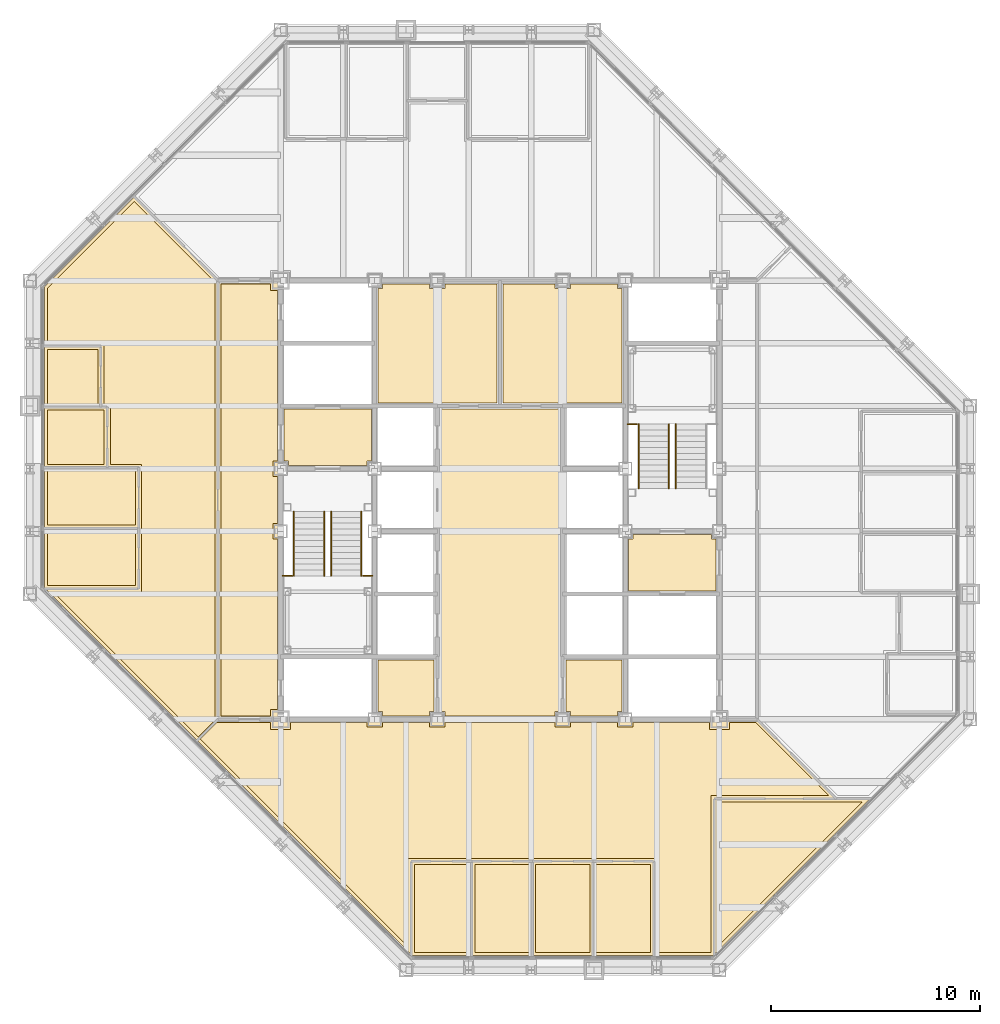
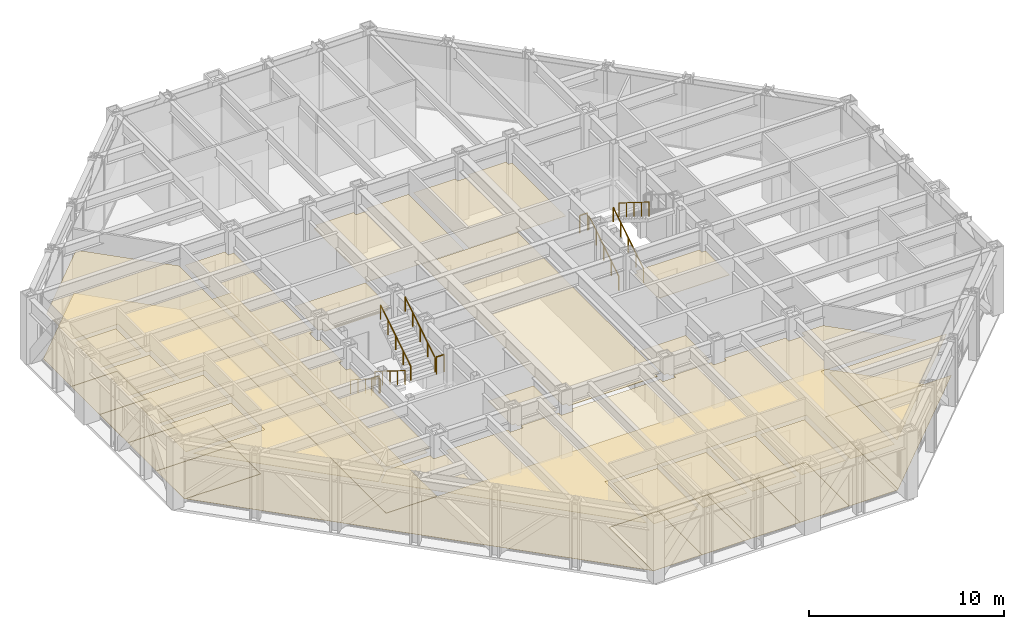
# One storey, part 14 of 15: 30 coverings, 10 railings.
"""IFC4 building model written with IfcOpenShell, lengths in metres."""

from ifc_helpers import new_model, si_unit, direction, frame, origin, origin_2d, place, context, subcontext, project, spatial, polyline, circle, outline, extrude, material, layer, layer_set, type_object, element, save


model = new_model("IFC4")

# Units and contexts
model_context = context("Model", 3, precision=1e-05, world=origin(), true_north=direction((0.0, 1.0)))
body_context = subcontext(model_context, "Body", "Model", "MODEL_VIEW")
ifc_project = project(units=[si_unit("LENGTHUNIT", "METRE"), si_unit("AREAUNIT", "SQUARE_METRE"), si_unit("VOLUMEUNIT", "CUBIC_METRE"), si_unit("PLANEANGLEUNIT", "RADIAN"), si_unit("MASSUNIT", "GRAM", prefix="KILO")], contexts=[model_context])

# Site, building, storey
site_placement = place(None, origin())
site = spatial("IfcSite", under=ifc_project, at=site_placement, CompositionType="ELEMENT")
building_placement = place(site_placement, origin())
building = spatial("IfcBuilding", under=site, at=building_placement, Name="Chuquiago Exchange Tower", CompositionType="ELEMENT")
storey_placement = place(building_placement, frame((0.0, 0.0, 192.89990234375)))
storey = spatial("IfcBuildingStorey", under=building, at=storey_placement, Name="L42", CompositionType="ELEMENT", Elevation=192.89990234375)

# Coverings
ifc_material_1 = material(Name="Mineral fibre tile, 600 x 600, on pale metal grid", Category="mineral fibre")
ifc_layer_1 = layer(ifc_material_1, 0.02001953125)
ifc_layer_set_1 = layer_set([ifc_layer_1], Name="CL1 suspended tile ceiling 20")
covering_type_1 = type_object("IfcCoveringType", Name="CL1 suspended tile ceiling 20", PredefinedType="CEILING", material=ifc_layer_set_1)
covering_1_placement = place(storey_placement, frame((0.0, 0.0, 2.800048828125)))
element("IfcCovering", 1, at=covering_1_placement, inside=storey, type_object=covering_type_1, Name="Ceiling Office", PredefinedType="CEILING", context=body_context, shape_type="SweptSolid", body=[
    extrude(outline(polyline([(18.3984375, 5.050048828125), (20.9990234375, 5.050048828125), (20.9990234375, 0.85009765625), (18.3984375, 0.85009765625), (18.3984375, 5.050048828125)])), origin(), (0.0, 0.0, 1.0), 0.02001953125),
])
covering_2_placement = place(storey_placement, frame((0.0, 0.0, 2.800048828125)))
element("IfcCovering", 2, at=covering_2_placement, inside=storey, type_object=covering_type_1, Name="Ceiling Office", PredefinedType="CEILING", context=body_context, shape_type="SweptSolid", body=[
    extrude(outline(polyline([(21.299072265625, 5.050048828125), (23.899658203125, 5.050048828125), (23.899658203125, 0.85009765625), (21.299072265625, 0.85009765625), (21.299072265625, 5.050048828125)])), origin(), (0.0, 0.0, 1.0), 0.02001953125),
])
covering_3_placement = place(storey_placement, frame((0.0, 0.0, 2.800048828125)))
element("IfcCovering", 3, at=covering_3_placement, inside=storey, type_object=covering_type_1, Name="Ceiling Office", PredefinedType="CEILING", context=body_context, shape_type="SweptSolid", body=[
    extrude(outline(polyline([(24.19970703125, 5.050048828125), (26.80029296875, 5.050048828125), (26.80029296875, 0.85009765625), (24.19970703125, 0.85009765625), (24.19970703125, 5.050048828125)])), origin(), (0.0, 0.0, 1.0), 0.02001953125),
])
covering_4_placement = place(storey_placement, frame((0.0, 0.0, 2.800048828125)))
element("IfcCovering", 4, at=covering_4_placement, inside=storey, type_object=covering_type_1, Name="Ceiling Office", PredefinedType="CEILING", context=body_context, shape_type="SweptSolid", body=[
    extrude(outline(polyline([(27.100341796875, 5.050048828125), (29.700927734375, 5.050048828125), (29.700927734375, 0.85009765625), (27.100341796875, 0.85009765625), (27.100341796875, 5.050048828125)])), origin(), (0.0, 0.0, 1.0), 0.02001953125),
])
covering_5_placement = place(storey_placement, frame((0.0, 0.0, 2.800048828125)))
element("IfcCovering", 5, at=covering_5_placement, inside=storey, type_object=covering_type_1, Name="Ceiling Boardroom", PredefinedType="CEILING", context=body_context, shape_type="SweptSolid", body=[
    extrude(outline(polyline([(32.901611328125, 8.050048828125), (39.847900390625, 8.050048828125), (32.901611328125, 1.103515625), (32.901611328125, 8.050048828125)])), origin(), (0.0, 0.0, 1.0), 0.02001953125),
])
covering_6_placement = place(storey_placement, frame((0.0, 0.0, 2.800048828125)))
element("IfcCovering", 6, at=covering_6_placement, inside=storey, type_object=covering_type_1, Name="Ceiling Office", PredefinedType="CEILING", context=body_context, shape_type="SweptSolid", body=[
    extrude(outline(polyline([(0.85009765625, 20.9990234375), (5.050048828125, 20.9990234375), (5.050048828125, 18.3984375), (0.85009765625, 18.3984375), (0.85009765625, 20.9990234375)])), origin(), (0.0, 0.0, 1.0), 0.02001953125),
])
covering_7_placement = place(storey_placement, frame((0.0, 0.0, 2.800048828125)))
element("IfcCovering", 7, at=covering_7_placement, inside=storey, type_object=covering_type_1, Name="Ceiling Office", PredefinedType="CEILING", context=body_context, shape_type="SweptSolid", body=[
    extrude(outline(polyline([(5.050048828125, 23.899658203125), (5.050048828125, 21.299072265625), (0.85009765625, 21.299072265625), (0.85009765625, 23.899658203125), (5.050048828125, 23.899658203125)])), origin(), (0.0, 0.0, 1.0), 0.02001953125),
])
covering_8_placement = place(storey_placement, frame((0.0, 0.0, 2.800048828125)))
element("IfcCovering", 8, at=covering_8_placement, inside=storey, type_object=covering_type_1, Name="Ceiling Store", PredefinedType="CEILING", context=body_context, shape_type="SweptSolid", body=[
    extrude(outline(polyline([(3.550048828125, 26.80029296875), (3.550048828125, 24.19970703125), (0.85009765625, 24.19970703125), (0.85009765625, 26.80029296875), (3.550048828125, 26.80029296875)])), origin(), (0.0, 0.0, 1.0), 0.02001953125),
])
covering_9_placement = place(storey_placement, frame((0.0, 0.0, 2.800048828125)))
element("IfcCovering", 9, at=covering_9_placement, inside=storey, type_object=covering_type_1, Name="Ceiling Focus room", PredefinedType="CEILING", context=body_context, shape_type="SweptSolid", body=[
    extrude(outline(polyline([(3.25, 29.700927734375), (3.25, 27.100341796875), (0.85009765625, 27.100341796875), (0.85009765625, 29.700927734375), (3.25, 29.700927734375)])), origin(), (0.0, 0.0, 1.0), 0.02001953125),
])
covering_10_placement = place(storey_placement, frame((0.0, 0.0, 2.800048828125)))
element("IfcCovering", 10, at=covering_10_placement, inside=storey, type_object=covering_type_1, Name="Ceiling Circulation corridor", PredefinedType="CEILING", context=body_context, shape_type="SweptSolid", body=[
    extrude(outline(polyline([(9.14990234375, 12.14990234375), (9.14990234375, 32.85009765625), (11.52490234375, 32.85009765625), (11.52490234375, 32.52490234375), (11.85009765625, 32.52490234375), (11.85009765625, 24.375), (11.625, 24.375), (11.625, 23.625), (11.85009765625, 23.625), (11.85009765625, 21.375), (11.625, 21.375), (11.625, 20.625), (11.85009765625, 20.625), (11.85009765625, 12.47509765625), (11.52490234375, 12.47509765625), (11.52490234375, 12.14990234375), (9.14990234375, 12.14990234375)])), origin(), (0.0, 0.0, 1.0), 0.02001953125),
])
covering_11_placement = place(storey_placement, frame((0.0, 0.0, 2.800048828125)))
element("IfcCovering", 11, at=covering_11_placement, inside=storey, type_object=covering_type_1, Name="Ceiling Open office south", PredefinedType="CEILING", context=body_context, shape_type="SweptSolid", body=[
    extrude(outline(polyline([(30.0009765625, 0.85009765625), (30.0009765625, 5.35009765625), (18.098388671875, 5.35009765625), (18.098388671875, 1.103515625), (8.150390625, 11.051513671875), (8.948974609375, 11.85009765625), (11.52490234375, 11.85009765625), (11.52490234375, 11.52490234375), (12.47509765625, 11.52490234375), (12.47509765625, 11.85009765625), (16.125, 11.85009765625), (16.125, 11.625), (16.875, 11.625), (16.875, 11.85009765625), (19.125, 11.85009765625), (19.125, 11.625), (19.875, 11.625), (19.875, 11.85009765625), (25.125, 11.85009765625), (25.125, 11.625), (25.875, 11.625), (25.875, 11.85009765625), (28.125, 11.85009765625), (28.125, 11.625), (28.875, 11.625), (28.875, 11.85009765625), (32.52490234375, 11.85009765625), (32.52490234375, 11.52490234375), (33.47509765625, 11.52490234375), (33.47509765625, 11.85009765625), (34.7373046875, 11.85009765625), (38.2373046875, 8.35009765625), (32.6015625, 8.35009765625), (32.6015625, 0.85009765625), (30.0009765625, 0.85009765625)])), origin(), (0.0, 0.0, 1.0), 0.02001953125),
])
covering_12_placement = place(storey_placement, frame((0.0, 0.0, 2.800048828125)))
element("IfcCovering", 12, at=covering_12_placement, inside=storey, type_object=covering_type_1, Name="Ceiling Open office south", PredefinedType="CEILING", context=body_context, shape_type="SweptSolid", body=[
    extrude(outline(polyline([(1.103515625, 18.098388671875), (5.35009765625, 18.098388671875), (5.35009765625, 24.19970703125), (3.85009765625, 24.19970703125), (3.85009765625, 27.100341796875), (3.550048828125, 27.100341796875), (3.550048828125, 30.0009765625), (0.85009765625, 30.0009765625), (0.85009765625, 32.64794921875), (4.99462890625, 36.79248046875), (8.85009765625, 32.9375), (8.85009765625, 11.948974609375), (8.051513671875, 11.150390625), (1.103515625, 18.098388671875)])), origin(), (0.0, 0.0, 1.0), 0.02001953125),
])
ifc_material_2 = material(Name="Moisture resistant plasterboard on metal frame", Category="gypsum")
ifc_layer_2 = layer(ifc_material_2, 0.014892578125)
ifc_layer_set_2 = layer_set([ifc_layer_2], Name="CL2 moisture resistant ceiling 15")
covering_type_2 = type_object("IfcCoveringType", Name="CL2 moisture resistant ceiling 15", PredefinedType="CEILING", material=ifc_layer_set_2)
covering_13_placement = place(storey_placement, frame((0.0, 0.0, 2.60009765625)))
element("IfcCovering", 13, at=covering_13_placement, inside=storey, type_object=covering_type_2, Name="Ceiling Male WC", PredefinedType="CEILING", context=body_context, shape_type="SweptSolid", body=[
    extrude(outline(polyline([(16.64990234375, 27.14990234375), (16.64990234375, 32.625), (16.875, 32.625), (16.875, 32.85009765625), (19.125, 32.85009765625), (19.125, 32.625), (19.875, 32.625), (19.875, 32.85009765625), (22.35009765625, 32.85009765625), (22.35009765625, 27.14990234375), (16.64990234375, 27.14990234375)])), origin(), (0.0, 0.0, 1.0), 0.014892578125),
])
covering_14_placement = place(storey_placement, frame((0.0, 0.0, 2.60009765625)))
element("IfcCovering", 14, at=covering_14_placement, inside=storey, type_object=covering_type_2, Name="Ceiling Female WC", PredefinedType="CEILING", context=body_context, shape_type="SweptSolid", body=[
    extrude(outline(polyline([(22.64990234375, 27.14990234375), (22.64990234375, 32.85009765625), (25.125, 32.85009765625), (25.125, 32.625), (25.875, 32.625), (25.875, 32.85009765625), (28.125, 32.85009765625), (28.125, 32.625), (28.35009765625, 32.625), (28.35009765625, 27.14990234375), (22.64990234375, 27.14990234375)])), origin(), (0.0, 0.0, 1.0), 0.014892578125),
])
covering_15_placement = place(storey_placement, frame((0.0, 0.0, 2.60009765625)))
element("IfcCovering", 15, at=covering_15_placement, inside=storey, type_object=covering_type_2, Name="Ceiling Accessible WC", PredefinedType="CEILING", context=body_context, shape_type="SweptSolid", body=[
    extrude(outline(polyline([(25.875, 12.14990234375), (25.875, 12.375), (25.64990234375, 12.375), (25.64990234375, 14.85009765625), (28.35009765625, 14.85009765625), (28.35009765625, 12.375), (28.125, 12.375), (28.125, 12.14990234375), (25.875, 12.14990234375)])), origin(), (0.0, 0.0, 1.0), 0.014892578125),
])
covering_16_placement = place(storey_placement, frame((0.0, 0.0, 2.60009765625)))
element("IfcCovering", 16, at=covering_16_placement, inside=storey, type_object=covering_type_2, Name="Ceiling Cleaner", PredefinedType="CEILING", context=body_context, shape_type="SweptSolid", body=[
    extrude(outline(polyline([(16.875, 12.14990234375), (16.875, 12.375), (16.64990234375, 12.375), (16.64990234375, 14.85009765625), (19.35009765625, 14.85009765625), (19.35009765625, 12.375), (19.125, 12.375), (19.125, 12.14990234375), (16.875, 12.14990234375)])), origin(), (0.0, 0.0, 1.0), 0.014892578125),
])
ifc_material_3 = material(Name="Pale metal plank ceiling, perforated", Category="aluminium")
ifc_layer_3 = layer(ifc_material_3, 0.030029296875)
ifc_layer_set_3 = layer_set([ifc_layer_3], Name="CL3 metal plank ceiling 30")
covering_type_3 = type_object("IfcCoveringType", Name="CL3 metal plank ceiling 30", PredefinedType="CEILING", material=ifc_layer_set_3)
covering_17_placement = place(storey_placement, frame((0.0, 0.0, 2.800048828125)))
element("IfcCovering", 17, at=covering_17_placement, inside=storey, type_object=covering_type_3, Name="Ceiling Lift lobby", PredefinedType="CEILING", context=body_context, shape_type="SweptSolid", body=[
    extrude(outline(polyline([(19.875, 12.14990234375), (19.875, 12.375), (19.64990234375, 12.375), (19.64990234375, 26.85009765625), (25.35009765625, 26.85009765625), (25.35009765625, 12.375), (25.125, 12.375), (25.125, 12.14990234375), (19.875, 12.14990234375)])), origin(), (0.0, 0.0, 1.0), 0.030029296875),
])
covering_18_placement = place(storey_placement, frame((0.0, 0.0, 2.800048828125)))
element("IfcCovering", 18, at=covering_18_placement, inside=storey, type_object=covering_type_3, Name="Ceiling Firefighting lobby", PredefinedType="CEILING", context=body_context, shape_type="SweptSolid", body=[
    extrude(outline(polyline([(12.375, 24.14990234375), (12.375, 24.375), (12.14990234375, 24.375), (12.14990234375, 26.85009765625), (16.35009765625, 26.85009765625), (16.35009765625, 24.375), (16.125, 24.375), (16.125, 24.14990234375), (12.375, 24.14990234375)])), origin(), (0.0, 0.0, 1.0), 0.030029296875),
])
covering_19_placement = place(storey_placement, frame((0.0, 0.0, 2.800048828125)))
element("IfcCovering", 19, at=covering_19_placement, inside=storey, type_object=covering_type_3, Name="Ceiling Firefighting lobby", PredefinedType="CEILING", context=body_context, shape_type="SweptSolid", body=[
    extrude(outline(polyline([(28.64990234375, 18.14990234375), (28.64990234375, 20.625), (28.875, 20.625), (28.875, 20.85009765625), (32.625, 20.85009765625), (32.625, 20.625), (32.85009765625, 20.625), (32.85009765625, 18.14990234375), (28.64990234375, 18.14990234375)])), origin(), (0.0, 0.0, 1.0), 0.030029296875),
])
ifc_material_4 = material(Name="Carpet tile, 500 x 500, on the floor slab", Category="textile")
ifc_layer_4 = layer(ifc_material_4, 0.010009765625)
ifc_layer_set_4 = layer_set([ifc_layer_4], Name="FL1 carpet tile 10")
covering_type_4 = type_object("IfcCoveringType", Name="FL1 carpet tile 10", PredefinedType="FLOORING", material=ifc_layer_set_4)
covering_20_placement = place(storey_placement, origin())
element("IfcCovering", 20, at=covering_20_placement, inside=storey, type_object=covering_type_4, Name="Floor finish Office", PredefinedType="FLOORING", context=body_context, shape_type="SweptSolid", body=[
    extrude(outline(polyline([(18.289794921875, 0.699951171875), (18.24853515625, 0.741455078125), (18.24853515625, 5.199951171875), (21.149169921875, 5.199951171875), (21.149169921875, 0.699951171875), (18.289794921875, 0.699951171875)])), origin(), (0.0, 0.0, 1.0), 0.010009765625),
])
covering_21_placement = place(storey_placement, origin())
element("IfcCovering", 21, at=covering_21_placement, inside=storey, type_object=covering_type_4, Name="Floor finish Office", PredefinedType="FLOORING", context=body_context, shape_type="SweptSolid", body=[
    extrude(outline(polyline([(21.149169921875, 0.699951171875), (21.149169921875, 5.199951171875), (24.0498046875, 5.199951171875), (24.0498046875, 0.699951171875), (21.149169921875, 0.699951171875)])), origin(), (0.0, 0.0, 1.0), 0.010009765625),
])
covering_22_placement = place(storey_placement, origin())
element("IfcCovering", 22, at=covering_22_placement, inside=storey, type_object=covering_type_4, Name="Floor finish Office", PredefinedType="FLOORING", context=body_context, shape_type="SweptSolid", body=[
    extrude(outline(polyline([(24.0498046875, 0.699951171875), (24.0498046875, 5.199951171875), (26.9501953125, 5.199951171875), (26.9501953125, 0.699951171875), (24.0498046875, 0.699951171875)])), origin(), (0.0, 0.0, 1.0), 0.010009765625),
])
covering_23_placement = place(storey_placement, origin())
element("IfcCovering", 23, at=covering_23_placement, inside=storey, type_object=covering_type_4, Name="Floor finish Office", PredefinedType="FLOORING", context=body_context, shape_type="SweptSolid", body=[
    extrude(outline(polyline([(26.9501953125, 0.699951171875), (26.9501953125, 5.199951171875), (29.850830078125, 5.199951171875), (29.850830078125, 0.699951171875), (26.9501953125, 0.699951171875)])), origin(), (0.0, 0.0, 1.0), 0.010009765625),
])
covering_24_placement = place(storey_placement, origin())
element("IfcCovering", 24, at=covering_24_placement, inside=storey, type_object=covering_type_4, Name="Floor finish Boardroom", PredefinedType="FLOORING", context=body_context, shape_type="SweptSolid", body=[
    extrude(outline(polyline([(32.75146484375, 0.741455078125), (32.75146484375, 8.199951171875), (40.210205078125, 8.199951171875), (32.75146484375, 0.741455078125)])), origin(), (0.0, 0.0, 1.0), 0.010009765625),
])
covering_25_placement = place(storey_placement, origin())
element("IfcCovering", 25, at=covering_25_placement, inside=storey, type_object=covering_type_4, Name="Floor finish Office", PredefinedType="FLOORING", context=body_context, shape_type="SweptSolid", body=[
    extrude(outline(polyline([(0.699951171875, 21.149169921875), (5.199951171875, 21.149169921875), (5.199951171875, 18.24853515625), (0.741455078125, 18.24853515625), (0.699951171875, 18.289794921875), (0.699951171875, 21.149169921875)])), origin(), (0.0, 0.0, 1.0), 0.010009765625),
])
covering_26_placement = place(storey_placement, origin())
element("IfcCovering", 26, at=covering_26_placement, inside=storey, type_object=covering_type_4, Name="Floor finish Office", PredefinedType="FLOORING", context=body_context, shape_type="SweptSolid", body=[
    extrude(outline(polyline([(0.699951171875, 24.0498046875), (5.199951171875, 24.0498046875), (5.199951171875, 21.149169921875), (0.699951171875, 21.149169921875), (0.699951171875, 24.0498046875)])), origin(), (0.0, 0.0, 1.0), 0.010009765625),
])
covering_27_placement = place(storey_placement, origin())
element("IfcCovering", 27, at=covering_27_placement, inside=storey, type_object=covering_type_4, Name="Floor finish Focus room", PredefinedType="FLOORING", context=body_context, shape_type="SweptSolid", body=[
    extrude(outline(polyline([(0.699951171875, 29.850830078125), (3.39990234375, 29.850830078125), (3.39990234375, 26.9501953125), (0.699951171875, 26.9501953125), (0.699951171875, 29.850830078125)])), origin(), (0.0, 0.0, 1.0), 0.010009765625),
])
covering_28_placement = place(storey_placement, origin())
element("IfcCovering", 28, at=covering_28_placement, inside=storey, type_object=covering_type_4, Name="Floor finish Open office south", PredefinedType="FLOORING", context=body_context, shape_type="SweptSolid", body=[
    extrude(outline(polyline([(32.75146484375, 8.199951171875), (32.75146484375, 0.741455078125), (32.710205078125, 0.699951171875), (29.850830078125, 0.699951171875), (29.850830078125, 5.199951171875), (18.24853515625, 5.199951171875), (18.24853515625, 0.741455078125), (0.741455078125, 18.24853515625), (5.199951171875, 18.24853515625), (5.199951171875, 24.0498046875), (3.699951171875, 24.0498046875), (3.699951171875, 26.9501953125), (3.39990234375, 26.9501953125), (3.39990234375, 29.850830078125), (0.699951171875, 29.850830078125), (0.699951171875, 32.710205078125), (4.99462890625, 37.004638671875), (9.0, 32.99951171875), (9.0, 12.0), (34.799560546875, 12.0), (38.599365234375, 8.199951171875), (32.75146484375, 8.199951171875)])), origin(), (0.0, 0.0, 1.0), 0.010009765625),
])
ifc_material_5 = material(Name="Porcelain floor tile, 600 x 600, on adhesive bed", Category="ceramic")
ifc_layer_5 = layer(ifc_material_5, 0.014892578125)
ifc_layer_set_5 = layer_set([ifc_layer_5], Name="FL2 porcelain tile 15")
covering_type_5 = type_object("IfcCoveringType", Name="FL2 porcelain tile 15", PredefinedType="FLOORING", material=ifc_layer_set_5)
covering_29_placement = place(storey_placement, origin())
element("IfcCovering", 29, at=covering_29_placement, inside=storey, type_object=covering_type_5, Name="Floor finish Store", PredefinedType="FLOORING", context=body_context, shape_type="SweptSolid", body=[
    extrude(outline(polyline([(0.699951171875, 26.9501953125), (3.699951171875, 26.9501953125), (3.699951171875, 24.0498046875), (0.699951171875, 24.0498046875), (0.699951171875, 26.9501953125)])), origin(), (0.0, 0.0, 1.0), 0.01513671875),
])
covering_30_placement = place(storey_placement, origin())
element("IfcCovering", 30, at=covering_30_placement, inside=storey, type_object=covering_type_5, Name="Floor finish Circulation corridor", PredefinedType="FLOORING", context=body_context, shape_type="SweptSolid", body=[
    extrude(outline(polyline([(12.0, 12.0), (9.0, 12.0), (9.0, 33.0), (12.0, 33.0), (12.0, 12.0)])), origin(), (0.0, 0.0, 1.0), 0.01513671875),
])

# Railings
ifc_material_6 = material(Name="Pale metal guard with safety glass infill", Category="glass")
railing_type_1 = type_object("IfcRailingType", Name="GR1 guard 1100", PredefinedType="GUARDRAIL", material=ifc_material_6)
for number, where, name in (
    (31, (12.10009765625, 18.8701171875, 2.10009765625), "Guard ST1 L42 landing 2"),
    (32, (15.945068359375, 18.8701171875, 2.10009765625), "Guard ST1 L42 landing 2"),
    (33, (28.60009765625, 26.1298828125, 2.10009765625), "Guard ST2 L42 landing 2"),
):
    element("IfcRailing", number, at=place(storey_placement, frame(where)), inside=storey, type_object=railing_type_1, Name=name, PredefinedType="GUARDRAIL", context=body_context, shape_type="SweptSolid", body=[
        extrude(circle(Radius=0.02392578125, at=origin_2d()), frame((0.0, 0.0, 1.076171875), z_axis=(1.0, 0.0, 0.0), x_axis=(0.0, 1.0, 0.0)), (0.0, 0.0, 1.0), 0.454833984375),
        extrude(circle(Radius=0.02099609375, at=origin_2d()), origin(), (0.0, 0.0, 1.0), 1.052001953125),
        extrude(circle(Radius=0.02099609375, at=origin_2d()), frame((0.454833984375, 0.0, 0.0)), (0.0, 0.0, 1.0), 1.052001953125),
    ])
ifc_material_7 = material(Name="Pale metal handrail", Category="steel")
railing_type_2 = type_object("IfcRailingType", Name="HR1 handrail 900", PredefinedType="HANDRAIL", material=ifc_material_7)
for number, where, name in (
    (34, (12.635009765625, 21.949951171875, 0.175048828125), "Handrail ST1 L42 flight 1"),
    (35, (14.0849609375, 21.949951171875, 0.175048828125), "Handrail ST1 L42 flight 1"),
):
    element("IfcRailing", number, at=place(storey_placement, frame(where)), inside=storey, type_object=railing_type_2, Name=name, PredefinedType="HANDRAIL", context=body_context, shape_type="SweptSolid", body=[
        extrude(circle(Radius=0.02392578125, at=origin_2d()), frame((0.0, 0.0, 0.8759765625), z_axis=(0.0, -0.847979421464, 0.530029150871), x_axis=(1.0, 0.0, 0.0)), (0.0, 0.0, 1.0), 3.632080078125),
        extrude(circle(Radius=0.02099609375, at=origin_2d()), origin(), (0.0, 0.0, 1.0), 0.851806640625),
        extrude(circle(Radius=0.02099609375, at=origin_2d()), frame((0.0, -0.77001953125, 0.481201171875)), (0.0, 0.0, 1.0), 0.851806640625),
        extrude(circle(Radius=0.02099609375, at=origin_2d()), frame((0.0, -1.5400390625, 0.96240234375)), (0.0, 0.0, 1.0), 0.851806640625),
        extrude(circle(Radius=0.02099609375, at=origin_2d()), frame((0.0, -2.309814453125, 1.44384765625)), (0.0, 0.0, 1.0), 0.851806640625),
        extrude(circle(Radius=0.02099609375, at=origin_2d()), frame((0.0, -3.079833984375, 1.925048828125)), (0.0, 0.0, 1.0), 0.851806640625),
    ])
for number, where, name in (
    (36, (15.864990234375, 18.8701171875, 2.275146484375), "Handrail ST1 L42 flight 2"),
    (37, (14.4150390625, 18.8701171875, 2.275146484375), "Handrail ST1 L42 flight 2"),
    (38, (30.5849609375, 23.050048828125, 0.175048828125), "Handrail ST2 L42 flight 1"),
    (39, (29.135009765625, 23.050048828125, 0.175048828125), "Handrail ST2 L42 flight 1"),
):
    element("IfcRailing", number, at=place(storey_placement, frame(where)), inside=storey, type_object=railing_type_2, Name=name, PredefinedType="HANDRAIL", context=body_context, shape_type="SweptSolid", body=[
        extrude(circle(Radius=0.02392578125, at=origin_2d()), frame((0.0, 0.0, 0.8759765625), z_axis=(0.0, 0.847979421464, 0.530029150871), x_axis=(-1.0, 0.0, 0.0)), (0.0, 0.0, 1.0), 3.632080078125),
        extrude(circle(Radius=0.02099609375, at=origin_2d()), origin(), (0.0, 0.0, 1.0), 0.851806640625),
        extrude(circle(Radius=0.02099609375, at=origin_2d()), frame((0.0, 0.77001953125, 0.481201171875)), (0.0, 0.0, 1.0), 0.851806640625),
        extrude(circle(Radius=0.02099609375, at=origin_2d()), frame((0.0, 1.5400390625, 0.96240234375)), (0.0, 0.0, 1.0), 0.851806640625),
        extrude(circle(Radius=0.02099609375, at=origin_2d()), frame((0.0, 2.309814453125, 1.44384765625)), (0.0, 0.0, 1.0), 0.851806640625),
        extrude(circle(Radius=0.02099609375, at=origin_2d()), frame((0.0, 3.079833984375, 1.925048828125)), (0.0, 0.0, 1.0), 0.851806640625),
    ])
railing_placement = place(storey_placement, frame((30.9150390625, 26.1298828125, 2.275146484375)))
element("IfcRailing", 40, at=railing_placement, inside=storey, type_object=railing_type_2, Name="Handrail ST2 L42 flight 2", PredefinedType="HANDRAIL", context=body_context, shape_type="SweptSolid", body=[
    extrude(circle(Radius=0.02392578125, at=origin_2d()), frame((0.0, 0.0, 0.8759765625), z_axis=(0.0, -0.847979421464, 0.530029150871), x_axis=(1.0, 0.0, 0.0)), (0.0, 0.0, 1.0), 3.632080078125),
    extrude(circle(Radius=0.02099609375, at=origin_2d()), origin(), (0.0, 0.0, 1.0), 0.851806640625),
    extrude(circle(Radius=0.02099609375, at=origin_2d()), frame((0.0, -0.77001953125, 0.481201171875)), (0.0, 0.0, 1.0), 0.851806640625),
    extrude(circle(Radius=0.02099609375, at=origin_2d()), frame((0.0, -1.5400390625, 0.96240234375)), (0.0, 0.0, 1.0), 0.851806640625),
    extrude(circle(Radius=0.02099609375, at=origin_2d()), frame((0.0, -2.309814453125, 1.44384765625)), (0.0, 0.0, 1.0), 0.851806640625),
    extrude(circle(Radius=0.02099609375, at=origin_2d()), frame((0.0, -3.079833984375, 1.925048828125)), (0.0, 0.0, 1.0), 0.851806640625),
])

save(model, "model.ifc")
